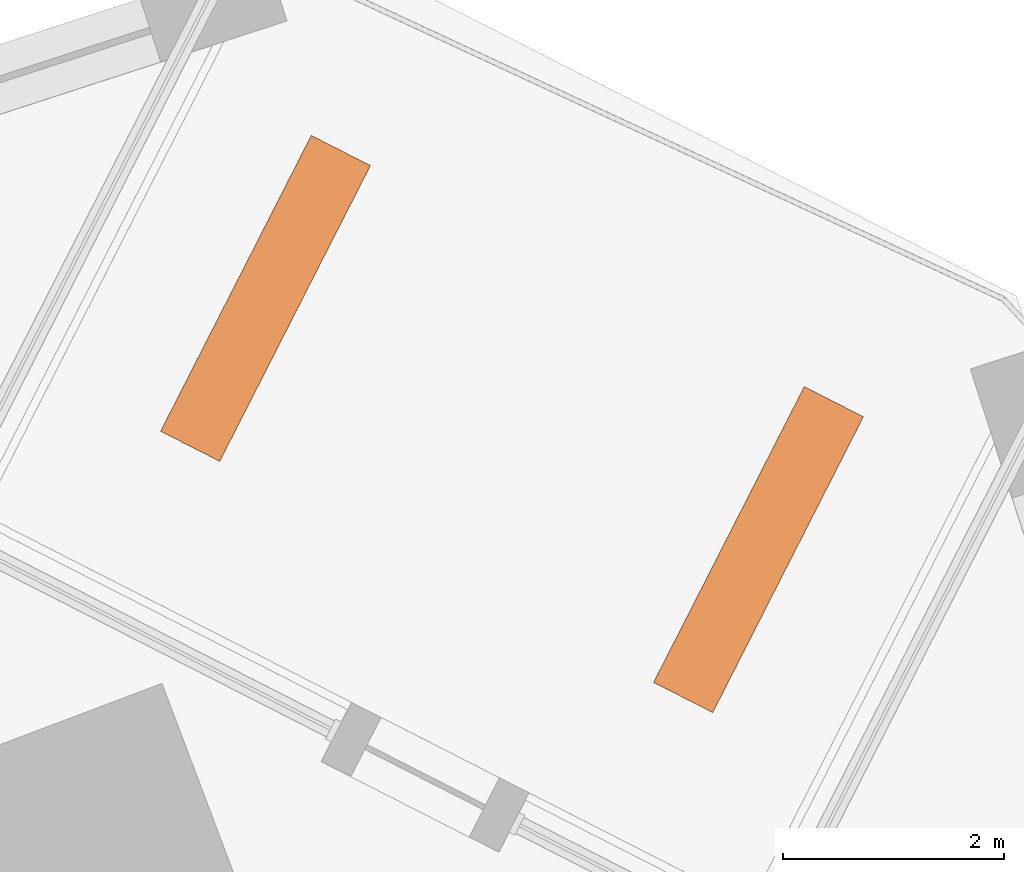
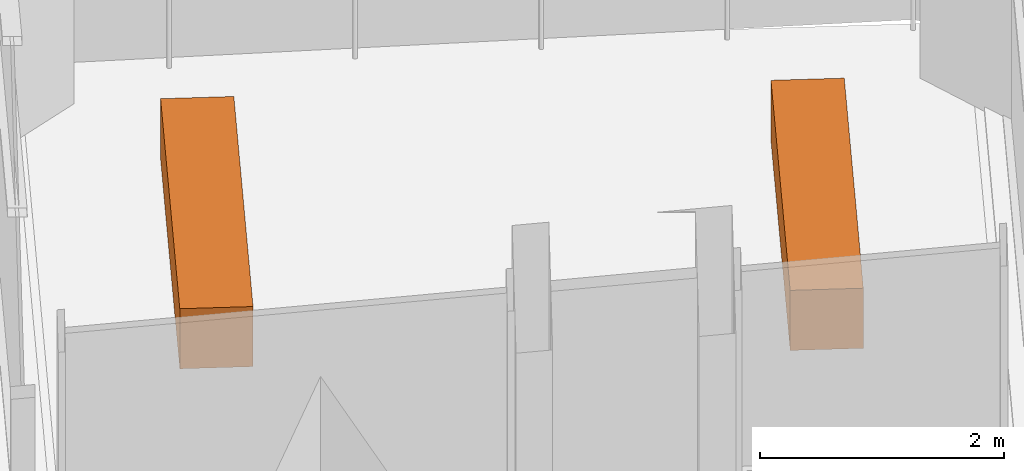
# One storey, part 12 of 12: 2 proxies.
"""IFC4 building model written with IfcOpenShell, lengths in metres."""

from ifc_helpers import new_model, si_unit, direction, frame, origin, origin_2d, place, context, subcontext, project, spatial, rectangle, extrude, element, save


model = new_model("IFC4")

# Units and contexts
model_context = context("Model", 3, precision=1e-05, world=origin(), true_north=direction((0.0, 1.0)))
body_context = subcontext(model_context, "Body", "Model", "MODEL_VIEW")
ifc_project = project(units=[si_unit("LENGTHUNIT", "METRE"), si_unit("AREAUNIT", "SQUARE_METRE"), si_unit("VOLUMEUNIT", "CUBIC_METRE"), si_unit("PLANEANGLEUNIT", "RADIAN"), si_unit("MASSUNIT", "GRAM", prefix="KILO")], contexts=[model_context])

# Site, building, storey
site_placement = place(None, origin())
site = spatial("IfcSite", under=ifc_project, at=site_placement, CompositionType="ELEMENT")
building_placement = place(site_placement, origin())
building = spatial("IfcBuilding", under=site, at=building_placement, Name="Dilmun Exchange Tower", CompositionType="ELEMENT")
storey_placement = place(building_placement, frame((0.0, 0.0, 98.10009765625)))
storey = spatial("IfcBuildingStorey", under=building, at=storey_placement, Name="L22", CompositionType="ELEMENT", Elevation=98.10009765625)

# Proxies
for number, where, z_axis, x_axis, name in (
    (1, (19.09423828125, 28.852783203125, -0.000244140625), (0.0, 0.0, 1.0), (0.45399049974, 0.891006524188, 0.0), "PLANTER Ghaf tree L22.1"),
    (2, (14.63916015625, 31.122802734375, -0.000244140625), (0.0, 0.0, 1.0), (0.45399049974, 0.891006524188, 0.0), "PLANTER Ghaf tree L22.2"),
):
    element("IfcBuildingElementProxy", number, at=place(storey_placement, frame(where, z_axis=z_axis, x_axis=x_axis)), inside=storey, Name=name, ObjectType="PLANTER", PredefinedType="USERDEFINED", context=body_context, shape_type="SweptSolid", body=[
        extrude(rectangle(XDim=3.0, YDim=0.60009765625, at=origin_2d()), origin(), (0.0, 0.0, 1.0), 0.60009765625),
    ])

save(model, "model.ifc")
